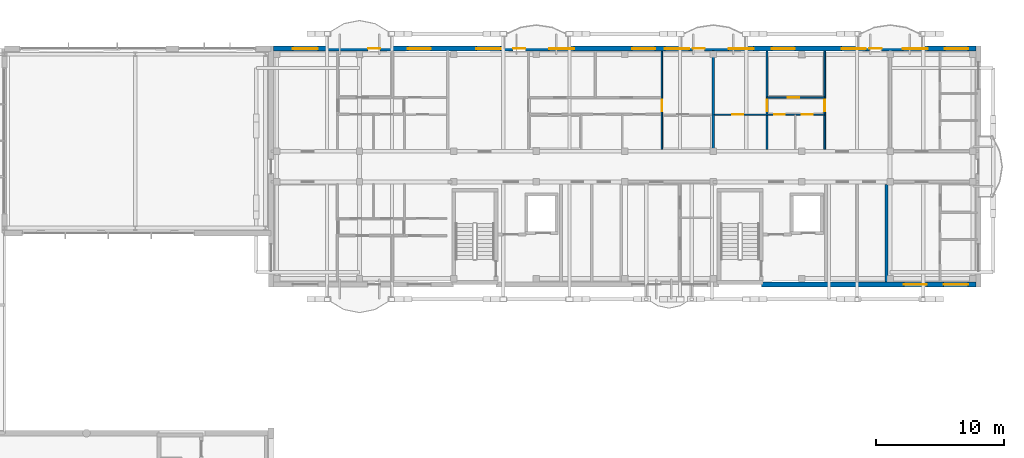
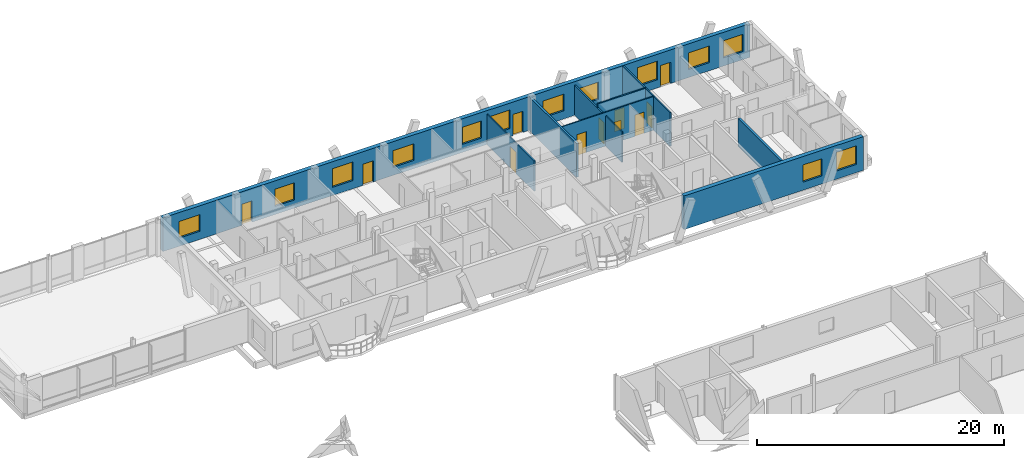
# One storey, part 166 of 189: 13 windows, 11 doors, 9 walls, 24 openings.
"""IFC4 building model written with IfcOpenShell, lengths in metres."""

from ifc_helpers import new_model, si_unit, direction, frame, frame_2d, origin, origin_with_axes, place, context, subcontext, project, spatial, rectangle, extrude, material, layer, layer_set, type_object, element, fill, save


model = new_model("IFC4")

# Units and contexts
model_context = context("Model", 3, precision=1e-05, world=origin(), true_north=direction((0.0, 1.0)))
body_context = subcontext(model_context, "Body", "Model", "MODEL_VIEW")
ifc_project = project(units=[si_unit("LENGTHUNIT", "METRE"), si_unit("AREAUNIT", "SQUARE_METRE"), si_unit("VOLUMEUNIT", "CUBIC_METRE"), si_unit("PLANEANGLEUNIT", "RADIAN"), si_unit("MASSUNIT", "GRAM", prefix="KILO")], contexts=[model_context])

# Site, building, storey
site_placement = place(None, origin())
site = spatial("IfcSite", under=ifc_project, at=site_placement, CompositionType="ELEMENT")
building_placement = place(site_placement, origin())
building = spatial("IfcBuilding", under=site, at=building_placement, Name="Zavelmont Quarter", CompositionType="ELEMENT")
storey_placement = place(building_placement, frame((0.0, 0.0, 4.39990234375)))
storey = spatial("IfcBuildingStorey", under=building, at=storey_placement, Name="L01", CompositionType="ELEMENT", Elevation=4.39990234375)

# Wall, openings, windows
ifc_material_1 = material(Name="Natural Belgian limestone", Category="masonry")
ifc_layer_1 = layer(ifc_material_1, 0.3798828125)
ifc_layer_set_1 = layer_set([ifc_layer_1], Name="Natural Belgian limestone")
wall_type_1 = type_object("IfcWallType", Name="EW01", PredefinedType="STANDARD", material=ifc_layer_set_1)
wall_1_placement = place(storey_placement, frame((151.050048828125, 97.60009765625, 0.0), z_axis=(0.0, 0.0, 1.0), x_axis=(1.0, 0.0, 0.0)))
wall_1 = element("IfcWall", 1, at=wall_1_placement, inside=storey, type_object=wall_type_1, Name="L01 exterior limestone wall EW01", PredefinedType="STANDARD", context=body_context, shape_type="SweptSolid", body=[
    extrude(rectangle(XDim=16.77001953125, YDim=0.3798828125, at=frame_2d((8.385009765625, 0.0))), origin(), (0.0, 0.0, 1.0), 3.330078125),
])
opening_1_placement = place(wall_1_placement, frame((11.1201171875, 0.0, 0.800048828125)))
opening_1 = element("IfcOpeningElement", 2, at=opening_1_placement, cuts=wall_1, Name="Opening WN02", PredefinedType="OPENING", context=body_context, shape_type="SweptSolid", body=[
    extrude(rectangle(XDim=1.800048828125, YDim=1.699951171875, at=frame_2d((0.89990234375, 0.85009765625))), frame((0.0, 0.201904296875, 0.0), z_axis=(0.0, -1.0, 0.0), x_axis=(1.0, 0.0, 0.0)), (0.0, 0.0, 1.0), 0.40380859375),
])
opening_2_placement = place(wall_1_placement, frame((14.235107421875, 0.0, 0.800048828125)))
opening_2 = element("IfcOpeningElement", 3, at=opening_2_placement, cuts=wall_1, Name="Opening WN20", PredefinedType="OPENING", context=body_context, shape_type="SweptSolid", body=[
    extrude(rectangle(XDim=1.89990234375, YDim=1.85009765625, at=frame_2d((0.949951171875, 0.925048828125))), frame((0.0, 0.201904296875, 0.0), z_axis=(0.0, -1.0, 0.0), x_axis=(1.0, 0.0, 0.0)), (0.0, 0.0, 1.0), 0.40380859375),
])
ifc_material_2 = material(Name="Double low-E insulated glazing in thermally broken aluminium frame", Category="aluminium")
window_type_1 = type_object("IfcWindowType", Name="WN02", PartitioningType="SINGLE_PANEL", PredefinedType="WINDOW", material=ifc_material_2)
window_1_placement = place(opening_1_placement, origin_with_axes())
window_1 = element("IfcWindow", 4, at=window_1_placement, inside=storey, type_object=window_type_1, Name="L01 window WN02", OverallHeight=1.699951171875, OverallWidth=1.800048828125, PartitioningType="SINGLE_PANEL", PredefinedType="WINDOW", context=body_context, shape_type="SweptSolid", body=[
    extrude(rectangle(XDim=1.800048828125, YDim=1.699951171875, at=frame_2d((0.89990234375, 0.85009765625))), frame((0.0, 0.030029296875, 0.0), z_axis=(0.0, -1.0, 0.0), x_axis=(1.0, 0.0, 0.0)), (0.0, 0.0, 1.0), 0.06005859375),
])
fill(opening_1, window_1)
window_type_2 = type_object("IfcWindowType", Name="WN20", PartitioningType="SINGLE_PANEL", PredefinedType="WINDOW", material=ifc_material_2)
window_2_placement = place(opening_2_placement, origin_with_axes())
window_2 = element("IfcWindow", 5, at=window_2_placement, inside=storey, type_object=window_type_2, Name="L01 window WN20", OverallHeight=1.85009765625, OverallWidth=1.89990234375, PartitioningType="SINGLE_PANEL", PredefinedType="WINDOW", context=body_context, shape_type="SweptSolid", body=[
    extrude(rectangle(XDim=1.89990234375, YDim=1.85009765625, at=frame_2d((0.949951171875, 0.925048828125))), frame((0.0, 0.030029296875, 0.0), z_axis=(0.0, -1.0, 0.0), x_axis=(1.0, 0.0, 0.0)), (0.0, 0.0, 1.0), 0.06005859375),
])
fill(opening_2, window_2)

# Wall, openings, doors, windows
wall_2_placement = place(storey_placement, frame((112.97998046875, 116.0, 0.0), z_axis=(0.0, 0.0, 1.0), x_axis=(1.0, 0.0, 0.0)))
wall_2 = element("IfcWall", 6, at=wall_2_placement, inside=storey, type_object=wall_type_1, Name="L01 exterior limestone wall EW01", PredefinedType="STANDARD", context=body_context, shape_type="SweptSolid", body=[
    extrude(rectangle(XDim=54.840087890625, YDim=0.3798828125, at=frame_2d((27.419921875, 0.0))), origin(), (0.0, 0.0, 1.0), 3.330078125),
])
opening_3_placement = place(wall_2_placement, frame((7.389892578125, 0.0, 0.0)))
opening_3 = element("IfcOpeningElement", 7, at=opening_3_placement, cuts=wall_2, Name="Opening DR04", PredefinedType="OPENING", context=body_context, shape_type="SweptSolid", body=[
    extrude(rectangle(XDim=0.949951171875, YDim=2.10009765625, at=frame_2d((0.47509765625, 1.050048828125))), frame((0.0, 0.201904296875, 0.0), z_axis=(0.0, -1.0, 0.0), x_axis=(1.0, 0.0, 0.0)), (0.0, 0.0, 1.0), 0.40380859375),
])
opening_4_placement = place(wall_2_placement, frame((18.7080078125, 0.0, 0.0)))
opening_4 = element("IfcOpeningElement", 8, at=opening_4_placement, cuts=wall_2, Name="Opening DR04", PredefinedType="OPENING", context=body_context, shape_type="SweptSolid", body=[
    extrude(rectangle(XDim=0.949951171875, YDim=2.10009765625, at=frame_2d((0.47509765625, 1.050048828125))), frame((0.0, 0.201904296875, 0.0), z_axis=(0.0, -1.0, 0.0), x_axis=(1.0, 0.0, 0.0)), (0.0, 0.0, 1.0), 0.40380859375),
])
opening_5_placement = place(wall_2_placement, frame((32.7080078125, 0.0, 0.0)))
opening_5 = element("IfcOpeningElement", 9, at=opening_5_placement, cuts=wall_2, Name="Opening DR04", PredefinedType="OPENING", context=body_context, shape_type="SweptSolid", body=[
    extrude(rectangle(XDim=0.949951171875, YDim=2.10009765625, at=frame_2d((0.47509765625, 1.050048828125))), frame((0.0, 0.201904296875, 0.0), z_axis=(0.0, -1.0, 0.0), x_axis=(1.0, 0.0, 0.0)), (0.0, 0.0, 1.0), 0.40380859375),
])
opening_6_placement = place(wall_2_placement, frame((46.5078125, 0.0, 0.0)))
opening_6 = element("IfcOpeningElement", 10, at=opening_6_placement, cuts=wall_2, Name="Opening DR04", PredefinedType="OPENING", context=body_context, shape_type="SweptSolid", body=[
    extrude(rectangle(XDim=0.949951171875, YDim=2.10009765625, at=frame_2d((0.47509765625, 1.050048828125))), frame((0.0, 0.201904296875, 0.0), z_axis=(0.0, -1.0, 0.0), x_axis=(1.0, 0.0, 0.0)), (0.0, 0.0, 1.0), 0.40380859375),
])
opening_7_placement = place(wall_2_placement, frame((1.514892578125, 0.0, 0.800048828125)))
opening_7 = element("IfcOpeningElement", 11, at=opening_7_placement, cuts=wall_2, Name="Opening WN24", PredefinedType="OPENING", context=body_context, shape_type="SweptSolid", body=[
    extrude(rectangle(XDim=1.949951171875, YDim=1.64990234375, at=frame_2d((0.97509765625, 0.824951171875))), frame((0.0, 0.201904296875, 0.0), z_axis=(0.0, -1.0, 0.0), x_axis=(1.0, 0.0, 0.0)), (0.0, 0.0, 1.0), 0.40380859375),
])
opening_8_placement = place(wall_2_placement, frame((10.489990234375, 0.0, 0.800048828125)))
opening_8 = element("IfcOpeningElement", 12, at=opening_8_placement, cuts=wall_2, Name="Opening WN02", PredefinedType="OPENING", context=body_context, shape_type="SweptSolid", body=[
    extrude(rectangle(XDim=1.800048828125, YDim=1.699951171875, at=frame_2d((0.89990234375, 0.85009765625))), frame((0.0, 0.201904296875, 0.0), z_axis=(0.0, -1.0, 0.0), x_axis=(1.0, 0.0, 0.0)), (0.0, 0.0, 1.0), 0.40380859375),
])
opening_9_placement = place(wall_2_placement, frame((15.840087890625, 0.0, 0.800048828125)))
opening_9 = element("IfcOpeningElement", 13, at=opening_9_placement, cuts=wall_2, Name="Opening WN20", PredefinedType="OPENING", context=body_context, shape_type="SweptSolid", body=[
    extrude(rectangle(XDim=1.89990234375, YDim=1.85009765625, at=frame_2d((0.949951171875, 0.925048828125))), frame((0.0, 0.201904296875, 0.0), z_axis=(0.0, -1.0, 0.0), x_axis=(1.0, 0.0, 0.0)), (0.0, 0.0, 1.0), 0.40380859375),
])
opening_10_placement = place(wall_2_placement, frame((21.514892578125, 0.0, 0.800048828125)))
opening_10 = element("IfcOpeningElement", 14, at=opening_10_placement, cuts=wall_2, Name="Opening WN24", PredefinedType="OPENING", context=body_context, shape_type="SweptSolid", body=[
    extrude(rectangle(XDim=1.949951171875, YDim=1.64990234375, at=frame_2d((0.97509765625, 0.824951171875))), frame((0.0, 0.201904296875, 0.0), z_axis=(0.0, -1.0, 0.0), x_axis=(1.0, 0.0, 0.0)), (0.0, 0.0, 1.0), 0.40380859375),
])
opening_11_placement = place(wall_2_placement, frame((27.989990234375, 0.0, 0.800048828125)))
opening_11 = element("IfcOpeningElement", 15, at=opening_11_placement, cuts=wall_2, Name="Opening WN02", PredefinedType="OPENING", context=body_context, shape_type="SweptSolid", body=[
    extrude(rectangle(XDim=1.800048828125, YDim=1.699951171875, at=frame_2d((0.89990234375, 0.85009765625))), frame((0.0, 0.201904296875, 0.0), z_axis=(0.0, -1.0, 0.0), x_axis=(1.0, 0.0, 0.0)), (0.0, 0.0, 1.0), 0.40380859375),
])
opening_12_placement = place(wall_2_placement, frame((30.5400390625, 0.0, 0.800048828125)))
opening_12 = element("IfcOpeningElement", 16, at=opening_12_placement, cuts=wall_2, Name="Opening WN20", PredefinedType="OPENING", context=body_context, shape_type="SweptSolid", body=[
    extrude(rectangle(XDim=1.89990234375, YDim=1.85009765625, at=frame_2d((0.949951171875, 0.925048828125))), frame((0.0, 0.201904296875, 0.0), z_axis=(0.0, -1.0, 0.0), x_axis=(1.0, 0.0, 0.0)), (0.0, 0.0, 1.0), 0.40380859375),
])
opening_13_placement = place(wall_2_placement, frame((35.514892578125, 0.0, 0.800048828125)))
opening_13 = element("IfcOpeningElement", 17, at=opening_13_placement, cuts=wall_2, Name="Opening WN24", PredefinedType="OPENING", context=body_context, shape_type="SweptSolid", body=[
    extrude(rectangle(XDim=1.949951171875, YDim=1.64990234375, at=frame_2d((0.97509765625, 0.824951171875))), frame((0.0, 0.201904296875, 0.0), z_axis=(0.0, -1.0, 0.0), x_axis=(1.0, 0.0, 0.0)), (0.0, 0.0, 1.0), 0.40380859375),
])
opening_14_placement = place(wall_2_placement, frame((38.889892578125, 0.0, 0.800048828125)))
opening_14 = element("IfcOpeningElement", 18, at=opening_14_placement, cuts=wall_2, Name="Opening WN02", PredefinedType="OPENING", context=body_context, shape_type="SweptSolid", body=[
    extrude(rectangle(XDim=1.800048828125, YDim=1.699951171875, at=frame_2d((0.89990234375, 0.85009765625))), frame((0.0, 0.201904296875, 0.0), z_axis=(0.0, -1.0, 0.0), x_axis=(1.0, 0.0, 0.0)), (0.0, 0.0, 1.0), 0.40380859375),
])
opening_15_placement = place(wall_2_placement, frame((44.340087890625, 0.0, 0.800048828125)))
opening_15 = element("IfcOpeningElement", 19, at=opening_15_placement, cuts=wall_2, Name="Opening WN20", PredefinedType="OPENING", context=body_context, shape_type="SweptSolid", body=[
    extrude(rectangle(XDim=1.89990234375, YDim=1.85009765625, at=frame_2d((0.949951171875, 0.925048828125))), frame((0.0, 0.201904296875, 0.0), z_axis=(0.0, -1.0, 0.0), x_axis=(1.0, 0.0, 0.0)), (0.0, 0.0, 1.0), 0.40380859375),
])
opening_16_placement = place(wall_2_placement, frame((49.114990234375, 0.0, 0.800048828125)))
opening_16 = element("IfcOpeningElement", 20, at=opening_16_placement, cuts=wall_2, Name="Opening WN24", PredefinedType="OPENING", context=body_context, shape_type="SweptSolid", body=[
    extrude(rectangle(XDim=1.949951171875, YDim=1.64990234375, at=frame_2d((0.97509765625, 0.824951171875))), frame((0.0, 0.201904296875, 0.0), z_axis=(0.0, -1.0, 0.0), x_axis=(1.0, 0.0, 0.0)), (0.0, 0.0, 1.0), 0.40380859375),
])
opening_17_placement = place(wall_2_placement, frame((52.405029296875, 0.0, 0.800048828125)))
opening_17 = element("IfcOpeningElement", 21, at=opening_17_placement, cuts=wall_2, Name="Opening WN02", PredefinedType="OPENING", context=body_context, shape_type="SweptSolid", body=[
    extrude(rectangle(XDim=1.800048828125, YDim=1.699951171875, at=frame_2d((0.89990234375, 0.85009765625))), frame((0.0, 0.201904296875, 0.0), z_axis=(0.0, -1.0, 0.0), x_axis=(1.0, 0.0, 0.0)), (0.0, 0.0, 1.0), 0.40380859375),
])
ifc_material_3 = material(Name="Thermally broken aluminium and double safety glass", Category="aluminium")
door_type_1 = type_object("IfcDoorType", Name="DR04", OperationType="NOTDEFINED", PredefinedType="DOOR", material=ifc_material_3)
door_1_placement = place(opening_3_placement, frame((0.949951171875, 0.0, 0.0), z_axis=(0.0, 0.0, 1.0), x_axis=(-1.0, 0.0, 0.0)))
door_1 = element("IfcDoor", 22, at=door_1_placement, inside=storey, type_object=door_type_1, Name="Block C L01 glazed balcony door", OperationType="SINGLE_SWING_RIGHT", OverallHeight=2.10009765625, OverallWidth=0.949951171875, PredefinedType="DOOR", context=body_context, shape_type="SweptSolid", body=[
    extrude(rectangle(XDim=0.949951171875, YDim=2.10009765625, at=frame_2d((0.47509765625, 1.050048828125))), frame((0.0, 0.02490234375, 0.0), z_axis=(0.0, -1.0, 0.0), x_axis=(1.0, 0.0, 0.0)), (0.0, 0.0, 1.0), 0.050048828125),
])
fill(opening_3, door_1)
door_2_placement = place(opening_4_placement, frame((0.949951171875, 0.0, 0.0), z_axis=(0.0, 0.0, 1.0), x_axis=(-1.0, 0.0, 0.0)))
door_2 = element("IfcDoor", 23, at=door_2_placement, inside=storey, type_object=door_type_1, Name="Block C L01 glazed balcony door", OperationType="SINGLE_SWING_LEFT", OverallHeight=2.10009765625, OverallWidth=0.949951171875, PredefinedType="DOOR", context=body_context, shape_type="SweptSolid", body=[
    extrude(rectangle(XDim=0.949951171875, YDim=2.10009765625, at=frame_2d((0.47509765625, 1.050048828125))), frame((0.0, 0.02490234375, 0.0), z_axis=(0.0, -1.0, 0.0), x_axis=(1.0, 0.0, 0.0)), (0.0, 0.0, 1.0), 0.050048828125),
])
fill(opening_4, door_2)
door_3_placement = place(opening_5_placement, frame((0.949951171875, 0.0, 0.0), z_axis=(0.0, 0.0, 1.0), x_axis=(-1.0, 0.0, 0.0)))
door_3 = element("IfcDoor", 24, at=door_3_placement, inside=storey, type_object=door_type_1, Name="Block C L01 glazed balcony door", OperationType="SINGLE_SWING_LEFT", OverallHeight=2.10009765625, OverallWidth=0.949951171875, PredefinedType="DOOR", context=body_context, shape_type="SweptSolid", body=[
    extrude(rectangle(XDim=0.949951171875, YDim=2.10009765625, at=frame_2d((0.47509765625, 1.050048828125))), frame((0.0, 0.02490234375, 0.0), z_axis=(0.0, -1.0, 0.0), x_axis=(1.0, 0.0, 0.0)), (0.0, 0.0, 1.0), 0.050048828125),
])
fill(opening_5, door_3)
door_4_placement = place(opening_6_placement, frame((0.949951171875, 0.0, 0.0), z_axis=(0.0, 0.0, 1.0), x_axis=(-1.0, 0.0, 0.0)))
door_4 = element("IfcDoor", 25, at=door_4_placement, inside=storey, type_object=door_type_1, Name="Block C L01 glazed balcony door", OperationType="SINGLE_SWING_LEFT", OverallHeight=2.10009765625, OverallWidth=0.949951171875, PredefinedType="DOOR", context=body_context, shape_type="SweptSolid", body=[
    extrude(rectangle(XDim=0.949951171875, YDim=2.10009765625, at=frame_2d((0.47509765625, 1.050048828125))), frame((0.0, 0.02490234375, 0.0), z_axis=(0.0, -1.0, 0.0), x_axis=(1.0, 0.0, 0.0)), (0.0, 0.0, 1.0), 0.050048828125),
])
fill(opening_6, door_4)
window_3_placement = place(opening_8_placement, origin_with_axes())
window_3 = element("IfcWindow", 26, at=window_3_placement, inside=storey, type_object=window_type_1, Name="L01 window WN02", OverallHeight=1.699951171875, OverallWidth=1.800048828125, PartitioningType="SINGLE_PANEL", PredefinedType="WINDOW", context=body_context, shape_type="SweptSolid", body=[
    extrude(rectangle(XDim=1.800048828125, YDim=1.699951171875, at=frame_2d((0.89990234375, 0.85009765625))), frame((0.0, 0.030029296875, 0.0), z_axis=(0.0, -1.0, 0.0), x_axis=(1.0, 0.0, 0.0)), (0.0, 0.0, 1.0), 0.06005859375),
])
fill(opening_8, window_3)
window_4_placement = place(opening_11_placement, origin_with_axes())
window_4 = element("IfcWindow", 27, at=window_4_placement, inside=storey, type_object=window_type_1, Name="L01 window WN02", OverallHeight=1.699951171875, OverallWidth=1.800048828125, PartitioningType="SINGLE_PANEL", PredefinedType="WINDOW", context=body_context, shape_type="SweptSolid", body=[
    extrude(rectangle(XDim=1.800048828125, YDim=1.699951171875, at=frame_2d((0.89990234375, 0.85009765625))), frame((0.0, 0.030029296875, 0.0), z_axis=(0.0, -1.0, 0.0), x_axis=(1.0, 0.0, 0.0)), (0.0, 0.0, 1.0), 0.06005859375),
])
fill(opening_11, window_4)
window_5_placement = place(opening_14_placement, origin_with_axes())
window_5 = element("IfcWindow", 28, at=window_5_placement, inside=storey, type_object=window_type_1, Name="L01 window WN02", OverallHeight=1.699951171875, OverallWidth=1.800048828125, PartitioningType="SINGLE_PANEL", PredefinedType="WINDOW", context=body_context, shape_type="SweptSolid", body=[
    extrude(rectangle(XDim=1.800048828125, YDim=1.699951171875, at=frame_2d((0.89990234375, 0.85009765625))), frame((0.0, 0.030029296875, 0.0), z_axis=(0.0, -1.0, 0.0), x_axis=(1.0, 0.0, 0.0)), (0.0, 0.0, 1.0), 0.06005859375),
])
fill(opening_14, window_5)
window_6_placement = place(opening_17_placement, origin_with_axes())
window_6 = element("IfcWindow", 29, at=window_6_placement, inside=storey, type_object=window_type_1, Name="L01 window WN02", OverallHeight=1.699951171875, OverallWidth=1.800048828125, PartitioningType="SINGLE_PANEL", PredefinedType="WINDOW", context=body_context, shape_type="SweptSolid", body=[
    extrude(rectangle(XDim=1.800048828125, YDim=1.699951171875, at=frame_2d((0.89990234375, 0.85009765625))), frame((0.0, 0.030029296875, 0.0), z_axis=(0.0, -1.0, 0.0), x_axis=(1.0, 0.0, 0.0)), (0.0, 0.0, 1.0), 0.06005859375),
])
fill(opening_17, window_6)
window_7_placement = place(opening_9_placement, origin_with_axes())
window_7 = element("IfcWindow", 30, at=window_7_placement, inside=storey, type_object=window_type_2, Name="L01 window WN20", OverallHeight=1.85009765625, OverallWidth=1.89990234375, PartitioningType="SINGLE_PANEL", PredefinedType="WINDOW", context=body_context, shape_type="SweptSolid", body=[
    extrude(rectangle(XDim=1.89990234375, YDim=1.85009765625, at=frame_2d((0.949951171875, 0.925048828125))), frame((0.0, 0.030029296875, 0.0), z_axis=(0.0, -1.0, 0.0), x_axis=(1.0, 0.0, 0.0)), (0.0, 0.0, 1.0), 0.06005859375),
])
fill(opening_9, window_7)
window_8_placement = place(opening_12_placement, origin_with_axes())
window_8 = element("IfcWindow", 31, at=window_8_placement, inside=storey, type_object=window_type_2, Name="L01 window WN20", OverallHeight=1.85009765625, OverallWidth=1.89990234375, PartitioningType="SINGLE_PANEL", PredefinedType="WINDOW", context=body_context, shape_type="SweptSolid", body=[
    extrude(rectangle(XDim=1.89990234375, YDim=1.85009765625, at=frame_2d((0.949951171875, 0.925048828125))), frame((0.0, 0.030029296875, 0.0), z_axis=(0.0, -1.0, 0.0), x_axis=(1.0, 0.0, 0.0)), (0.0, 0.0, 1.0), 0.06005859375),
])
fill(opening_12, window_8)
window_9_placement = place(opening_15_placement, origin_with_axes())
window_9 = element("IfcWindow", 32, at=window_9_placement, inside=storey, type_object=window_type_2, Name="L01 window WN20", OverallHeight=1.85009765625, OverallWidth=1.89990234375, PartitioningType="SINGLE_PANEL", PredefinedType="WINDOW", context=body_context, shape_type="SweptSolid", body=[
    extrude(rectangle(XDim=1.89990234375, YDim=1.85009765625, at=frame_2d((0.949951171875, 0.925048828125))), frame((0.0, 0.030029296875, 0.0), z_axis=(0.0, -1.0, 0.0), x_axis=(1.0, 0.0, 0.0)), (0.0, 0.0, 1.0), 0.06005859375),
])
fill(opening_15, window_9)
window_type_3 = type_object("IfcWindowType", Name="WN24", PartitioningType="SINGLE_PANEL", PredefinedType="WINDOW", material=ifc_material_2)
window_10_placement = place(opening_7_placement, origin_with_axes())
window_10 = element("IfcWindow", 33, at=window_10_placement, inside=storey, type_object=window_type_3, Name="L01 window WN24", OverallHeight=1.64990234375, OverallWidth=1.949951171875, PartitioningType="SINGLE_PANEL", PredefinedType="WINDOW", context=body_context, shape_type="SweptSolid", body=[
    extrude(rectangle(XDim=1.949951171875, YDim=1.64990234375, at=frame_2d((0.97509765625, 0.824951171875))), frame((0.0, 0.030029296875, 0.0), z_axis=(0.0, -1.0, 0.0), x_axis=(1.0, 0.0, 0.0)), (0.0, 0.0, 1.0), 0.06005859375),
])
fill(opening_7, window_10)
window_11_placement = place(opening_10_placement, origin_with_axes())
window_11 = element("IfcWindow", 34, at=window_11_placement, inside=storey, type_object=window_type_3, Name="L01 window WN24", OverallHeight=1.64990234375, OverallWidth=1.949951171875, PartitioningType="SINGLE_PANEL", PredefinedType="WINDOW", context=body_context, shape_type="SweptSolid", body=[
    extrude(rectangle(XDim=1.949951171875, YDim=1.64990234375, at=frame_2d((0.97509765625, 0.824951171875))), frame((0.0, 0.030029296875, 0.0), z_axis=(0.0, -1.0, 0.0), x_axis=(1.0, 0.0, 0.0)), (0.0, 0.0, 1.0), 0.06005859375),
])
fill(opening_10, window_11)
window_12_placement = place(opening_13_placement, origin_with_axes())
window_12 = element("IfcWindow", 35, at=window_12_placement, inside=storey, type_object=window_type_3, Name="L01 window WN24", OverallHeight=1.64990234375, OverallWidth=1.949951171875, PartitioningType="SINGLE_PANEL", PredefinedType="WINDOW", context=body_context, shape_type="SweptSolid", body=[
    extrude(rectangle(XDim=1.949951171875, YDim=1.64990234375, at=frame_2d((0.97509765625, 0.824951171875))), frame((0.0, 0.030029296875, 0.0), z_axis=(0.0, -1.0, 0.0), x_axis=(1.0, 0.0, 0.0)), (0.0, 0.0, 1.0), 0.06005859375),
])
fill(opening_13, window_12)
window_13_placement = place(opening_16_placement, origin_with_axes())
window_13 = element("IfcWindow", 36, at=window_13_placement, inside=storey, type_object=window_type_3, Name="L01 window WN24", OverallHeight=1.64990234375, OverallWidth=1.949951171875, PartitioningType="SINGLE_PANEL", PredefinedType="WINDOW", context=body_context, shape_type="SweptSolid", body=[
    extrude(rectangle(XDim=1.949951171875, YDim=1.64990234375, at=frame_2d((0.97509765625, 0.824951171875))), frame((0.0, 0.030029296875, 0.0), z_axis=(0.0, -1.0, 0.0), x_axis=(1.0, 0.0, 0.0)), (0.0, 0.0, 1.0), 0.06005859375),
])
fill(opening_16, window_13)

# Walls
ifc_material_4 = material(Name="Calcium-silicate blockwork and acoustic plaster", Category="masonry")
ifc_layer_2 = layer(ifc_material_4, 0.199951171875)
ifc_layer_set_2 = layer_set([ifc_layer_2], Name="Calcium-silicate blockwork and acoustic plaster")
wall_type_2 = type_object("IfcWallType", Name="IW01", PredefinedType="PARTITIONING", material=ifc_layer_set_2)
wall_3_placement = place(storey_placement, frame((160.820068359375, 97.800048828125, 0.0), z_axis=(0.0, 0.0, 1.0), x_axis=(0.0, 1.0, 0.0)))
element("IfcWall", 37, at=wall_3_placement, inside=storey, type_object=wall_type_2, Name="L01 Core service end wall IW01", PredefinedType="PARTITIONING", context=body_context, shape_type="SweptSolid", body=[
    extrude(rectangle(XDim=7.599853515625, YDim=0.199951171875, at=frame_2d((3.7998046875, 0.0))), origin(), (0.0, 0.0, 1.0), 2.77001953125),
])
wall_4_placement = place(storey_placement, frame((147.300048828125, 108.14990234375, 0.0), z_axis=(0.0, 0.0, 1.0), x_axis=(0.0, 1.0, 0.0)))
element("IfcWall", 38, at=wall_4_placement, inside=storey, type_object=wall_type_2, Name="L01 Inter-dwelling compartment wall IW01", PredefinedType="PARTITIONING", context=body_context, shape_type="SweptSolid", body=[
    extrude(rectangle(XDim=7.7001953125, YDim=0.199951171875, at=frame_2d((3.85009765625, 0.0))), origin(), (0.0, 0.0, 1.0), 3.330078125),
])

# Wall, opening, door
ifc_material_5 = material(Name="Double gypsum board on acoustic steel stud", Category="steel")
ifc_layer_3 = layer(ifc_material_5, 0.125)
ifc_layer_set_3 = layer_set([ifc_layer_3], Name="Double gypsum board on acoustic steel stud")
wall_type_3 = type_object("IfcWallType", Name="IW03", PredefinedType="PARTITIONING", material=ifc_layer_set_3)
wall_5_placement = place(storey_placement, frame((143.300048828125, 108.14990234375, 0.0), z_axis=(0.0, 0.0, 1.0), x_axis=(0.0, 1.0, 0.0)))
wall_5 = element("IfcWall", 39, at=wall_5_placement, inside=storey, type_object=wall_type_3, Name="L01 Partition IW03", PredefinedType="PARTITIONING", context=body_context, shape_type="SweptSolid", body=[
    extrude(rectangle(XDim=7.650146484375, YDim=0.125, at=frame_2d((3.8251953125, 0.0))), origin(), (0.0, 0.0, 1.0), 2.989990234375),
])
opening_18_placement = place(wall_5_placement, frame((2.949951171875, 0.0, 0.0)))
opening_18 = element("IfcOpeningElement", 40, at=opening_18_placement, cuts=wall_5, Name="Opening DR05", PredefinedType="OPENING", context=body_context, shape_type="SweptSolid", body=[
    extrude(rectangle(XDim=0.89990234375, YDim=2.10009765625, at=frame_2d((0.449951171875, 1.050048828125))), frame((0.0, 0.074462890625, 0.0), z_axis=(0.0, -1.0, 0.0), x_axis=(1.0, 0.0, 0.0)), (0.0, 0.0, 1.0), 0.14892578125),
])
ifc_material_6 = material(Name="Engineered oak flush interior door")
door_type_2 = type_object("IfcDoorType", Name="DR05", OperationType="NOTDEFINED", PredefinedType="DOOR", material=ifc_material_6)
door_5_placement = place(opening_18_placement, frame((0.89990234375, 0.0, 0.0), z_axis=(0.0, 0.0, 1.0), x_axis=(-1.0, 0.0, 0.0)))
door_5 = element("IfcDoor", 41, at=door_5_placement, inside=storey, type_object=door_type_2, Name="L01 door DR05", OperationType="SINGLE_SWING_LEFT", OverallHeight=2.10009765625, OverallWidth=0.89990234375, PredefinedType="DOOR", context=body_context, shape_type="SweptSolid", body=[
    extrude(rectangle(XDim=0.89990234375, YDim=2.10009765625, at=frame_2d((0.449951171875, 1.050048828125))), frame((0.0, 0.02490234375, 0.0), z_axis=(0.0, -1.0, 0.0), x_axis=(1.0, 0.0, 0.0)), (0.0, 0.0, 1.0), 0.050048828125),
])
fill(opening_18, door_5)

wall_6_placement = place(storey_placement, frame((156.0, 108.14990234375, 0.0), z_axis=(0.0, 0.0, 1.0), x_axis=(0.0, 1.0, 0.0)))
wall_6 = element("IfcWall", 42, at=wall_6_placement, inside=storey, type_object=wall_type_3, Name="L01 Partition IW03", PredefinedType="PARTITIONING", context=body_context, shape_type="SweptSolid", body=[
    extrude(rectangle(XDim=7.650146484375, YDim=0.125, at=frame_2d((3.8251953125, 0.0))), origin(), (0.0, 0.0, 1.0), 3.330078125),
])
opening_19_placement = place(wall_6_placement, frame((2.949951171875, 0.0, 0.0)))
opening_19 = element("IfcOpeningElement", 43, at=opening_19_placement, cuts=wall_6, Name="Opening DR05", PredefinedType="OPENING", context=body_context, shape_type="SweptSolid", body=[
    extrude(rectangle(XDim=0.89990234375, YDim=2.10009765625, at=frame_2d((0.449951171875, 1.050048828125))), frame((0.0, 0.074462890625, 0.0), z_axis=(0.0, -1.0, 0.0), x_axis=(1.0, 0.0, 0.0)), (0.0, 0.0, 1.0), 0.14892578125),
])
door_6_placement = place(opening_19_placement, frame((0.89990234375, 0.0, 0.0), z_axis=(0.0, 0.0, 1.0), x_axis=(-1.0, 0.0, 0.0)))
door_6 = element("IfcDoor", 44, at=door_6_placement, inside=storey, type_object=door_type_2, Name="L01 door DR05", OperationType="SINGLE_SWING_RIGHT", OverallHeight=2.10009765625, OverallWidth=0.89990234375, PredefinedType="DOOR", context=body_context, shape_type="SweptSolid", body=[
    extrude(rectangle(XDim=0.89990234375, YDim=2.10009765625, at=frame_2d((0.449951171875, 1.050048828125))), frame((0.0, 0.02490234375, 0.0), z_axis=(0.0, -1.0, 0.0), x_axis=(1.0, 0.0, 0.0)), (0.0, 0.0, 1.0), 0.050048828125),
])
fill(opening_19, door_6)

wall_7_placement = place(storey_placement, frame((151.5, 108.14990234375, 0.0), z_axis=(0.0, 0.0, 1.0), x_axis=(0.0, 1.0, 0.0)))
wall_7 = element("IfcWall", 45, at=wall_7_placement, inside=storey, type_object=wall_type_3, Name="L01 Partition IW03", PredefinedType="PARTITIONING", context=body_context, shape_type="SweptSolid", body=[
    extrude(rectangle(XDim=7.650146484375, YDim=0.125, at=frame_2d((3.8251953125, 0.0))), origin(), (0.0, 0.0, 1.0), 2.989990234375),
])
opening_20_placement = place(wall_7_placement, frame((2.949951171875, 0.0, 0.0)))
opening_20 = element("IfcOpeningElement", 46, at=opening_20_placement, cuts=wall_7, Name="Opening DR05", PredefinedType="OPENING", context=body_context, shape_type="SweptSolid", body=[
    extrude(rectangle(XDim=0.89990234375, YDim=2.10009765625, at=frame_2d((0.449951171875, 1.050048828125))), frame((0.0, 0.074462890625, 0.0), z_axis=(0.0, -1.0, 0.0), x_axis=(1.0, 0.0, 0.0)), (0.0, 0.0, 1.0), 0.14892578125),
])
door_7_placement = place(opening_20_placement, origin_with_axes())
door_7 = element("IfcDoor", 47, at=door_7_placement, inside=storey, type_object=door_type_2, Name="L01 door DR05", OperationType="SINGLE_SWING_LEFT", OverallHeight=2.10009765625, OverallWidth=0.89990234375, PredefinedType="DOOR", context=body_context, shape_type="SweptSolid", body=[
    extrude(rectangle(XDim=0.89990234375, YDim=2.10009765625, at=frame_2d((0.449951171875, 1.050048828125))), frame((0.0, 0.02490234375, 0.0), z_axis=(0.0, -1.0, 0.0), x_axis=(1.0, 0.0, 0.0)), (0.0, 0.0, 1.0), 0.050048828125),
])
fill(opening_20, door_7)

wall_8_placement = place(storey_placement, frame((151.5, 112.199951171875, 0.0), z_axis=(0.0, 0.0, 1.0), x_axis=(1.0, 0.0, 0.0)))
wall_8 = element("IfcWall", 48, at=wall_8_placement, inside=storey, type_object=wall_type_3, Name="L01 Partition IW03", PredefinedType="PARTITIONING", context=body_context, shape_type="SweptSolid", body=[
    extrude(rectangle(XDim=4.5, YDim=0.125, at=frame_2d((2.25, 0.0))), origin(), (0.0, 0.0, 1.0), 3.330078125),
])
opening_21_placement = place(wall_8_placement, frame((1.60009765625, 0.0, 0.0)))
opening_21 = element("IfcOpeningElement", 49, at=opening_21_placement, cuts=wall_8, Name="Opening DR05", PredefinedType="OPENING", context=body_context, shape_type="SweptSolid", body=[
    extrude(rectangle(XDim=0.89990234375, YDim=2.10009765625, at=frame_2d((0.449951171875, 1.050048828125))), frame((0.0, 0.074462890625, 0.0), z_axis=(0.0, -1.0, 0.0), x_axis=(1.0, 0.0, 0.0)), (0.0, 0.0, 1.0), 0.14892578125),
])
door_8_placement = place(opening_21_placement, origin_with_axes())
door_8 = element("IfcDoor", 50, at=door_8_placement, inside=storey, type_object=door_type_2, Name="L01 door DR05", OperationType="SINGLE_SWING_LEFT", OverallHeight=2.10009765625, OverallWidth=0.89990234375, PredefinedType="DOOR", context=body_context, shape_type="SweptSolid", body=[
    extrude(rectangle(XDim=0.89990234375, YDim=2.10009765625, at=frame_2d((0.449951171875, 1.050048828125))), frame((0.0, 0.02490234375, 0.0), z_axis=(0.0, -1.0, 0.0), x_axis=(1.0, 0.0, 0.0)), (0.0, 0.0, 1.0), 0.050048828125),
])
fill(opening_21, door_8)

# Wall, openings, doors
ifc_material_7 = material(Name="Moisture-resistant gypsum board on steel stud", Category="steel")
ifc_layer_4 = layer(ifc_material_7, 0.10009765625)
ifc_layer_set_4 = layer_set([ifc_layer_4], Name="Moisture-resistant gypsum board on steel stud")
wall_type_4 = type_object("IfcWallType", Name="IW04", PredefinedType="PARTITIONING", material=ifc_layer_set_4)
wall_9_placement = place(storey_placement, frame((147.39990234375, 110.85009765625, 0.0), z_axis=(0.0, 0.0, 1.0), x_axis=(1.0, 0.0, 0.0)))
wall_9 = element("IfcWall", 51, at=wall_9_placement, inside=storey, type_object=wall_type_4, Name="L01 Partition IW04", PredefinedType="PARTITIONING", context=body_context, shape_type="SweptSolid", body=[
    extrude(rectangle(XDim=8.60009765625, YDim=0.10009765625, at=frame_2d((4.300048828125, 0.0))), origin(), (0.0, 0.0, 1.0), 3.330078125),
])
opening_22_placement = place(wall_9_placement, frame((1.39990234375, 0.0, 0.0)))
opening_22 = element("IfcOpeningElement", 52, at=opening_22_placement, cuts=wall_9, Name="Opening DR06", PredefinedType="OPENING", context=body_context, shape_type="SweptSolid", body=[
    extrude(rectangle(XDim=0.85009765625, YDim=2.050048828125, at=frame_2d((0.425048828125, 1.02490234375))), frame((0.0, 0.06201171875, 0.0), z_axis=(0.0, -1.0, 0.0), x_axis=(1.0, 0.0, 0.0)), (0.0, 0.0, 1.0), 0.1240234375),
])
opening_23_placement = place(wall_9_placement, frame((4.64990234375, 0.0, 0.0)))
opening_23 = element("IfcOpeningElement", 53, at=opening_23_placement, cuts=wall_9, Name="Opening DR06", PredefinedType="OPENING", context=body_context, shape_type="SweptSolid", body=[
    extrude(rectangle(XDim=0.85009765625, YDim=2.050048828125, at=frame_2d((0.425048828125, 1.02490234375))), frame((0.0, 0.06201171875, 0.0), z_axis=(0.0, -1.0, 0.0), x_axis=(1.0, 0.0, 0.0)), (0.0, 0.0, 1.0), 0.1240234375),
])
opening_24_placement = place(wall_9_placement, frame((6.800048828125, 0.0, 0.0)))
opening_24 = element("IfcOpeningElement", 54, at=opening_24_placement, cuts=wall_9, Name="Opening DR16", PredefinedType="OPENING", context=body_context, shape_type="SweptSolid", body=[
    extrude(rectangle(XDim=0.85009765625, YDim=2.10009765625, at=frame_2d((0.425048828125, 1.050048828125))), frame((0.0, 0.06201171875, 0.0), z_axis=(0.0, -1.0, 0.0), x_axis=(1.0, 0.0, 0.0)), (0.0, 0.0, 1.0), 0.1240234375),
])
ifc_material_8 = material(Name="Moisture-resistant painted wet-room door")
door_type_3 = type_object("IfcDoorType", Name="DR06", OperationType="NOTDEFINED", PredefinedType="DOOR", material=ifc_material_8)
door_9_placement = place(opening_22_placement, frame((0.85009765625, 0.0, 0.0), z_axis=(0.0, 0.0, 1.0), x_axis=(-1.0, 0.0, 0.0)))
door_9 = element("IfcDoor", 55, at=door_9_placement, inside=storey, type_object=door_type_3, Name="L01 door DR06", OperationType="SINGLE_SWING_RIGHT", OverallHeight=2.050048828125, OverallWidth=0.85009765625, PredefinedType="DOOR", context=body_context, shape_type="SweptSolid", body=[
    extrude(rectangle(XDim=0.85009765625, YDim=2.050048828125, at=frame_2d((0.425048828125, 1.02490234375))), frame((0.0, 0.02490234375, 0.0), z_axis=(0.0, -1.0, 0.0), x_axis=(1.0, 0.0, 0.0)), (0.0, 0.0, 1.0), 0.050048828125),
])
fill(opening_22, door_9)
door_10_placement = place(opening_23_placement, origin_with_axes())
door_10 = element("IfcDoor", 56, at=door_10_placement, inside=storey, type_object=door_type_3, Name="L01 door DR06", OperationType="SINGLE_SWING_LEFT", OverallHeight=2.050048828125, OverallWidth=0.85009765625, PredefinedType="DOOR", context=body_context, shape_type="SweptSolid", body=[
    extrude(rectangle(XDim=0.85009765625, YDim=2.050048828125, at=frame_2d((0.425048828125, 1.02490234375))), frame((0.0, 0.02490234375, 0.0), z_axis=(0.0, -1.0, 0.0), x_axis=(1.0, 0.0, 0.0)), (0.0, 0.0, 1.0), 0.050048828125),
])
fill(opening_23, door_10)
door_type_4 = type_object("IfcDoorType", Name="DR16", OperationType="NOTDEFINED", PredefinedType="DOOR", material=ifc_material_6)
door_11_placement = place(opening_24_placement, frame((0.85009765625, 0.0, 0.0), z_axis=(0.0, 0.0, 1.0), x_axis=(-1.0, 0.0, 0.0)))
door_11 = element("IfcDoor", 57, at=door_11_placement, inside=storey, type_object=door_type_4, Name="L01 door DR16", OperationType="SINGLE_SWING_RIGHT", OverallHeight=2.10009765625, OverallWidth=0.85009765625, PredefinedType="DOOR", context=body_context, shape_type="SweptSolid", body=[
    extrude(rectangle(XDim=0.85009765625, YDim=2.10009765625, at=frame_2d((0.425048828125, 1.050048828125))), frame((0.0, 0.02490234375, 0.0), z_axis=(0.0, -1.0, 0.0), x_axis=(1.0, 0.0, 0.0)), (0.0, 0.0, 1.0), 0.050048828125),
])
fill(opening_24, door_11)

save(model, "model.ifc")
